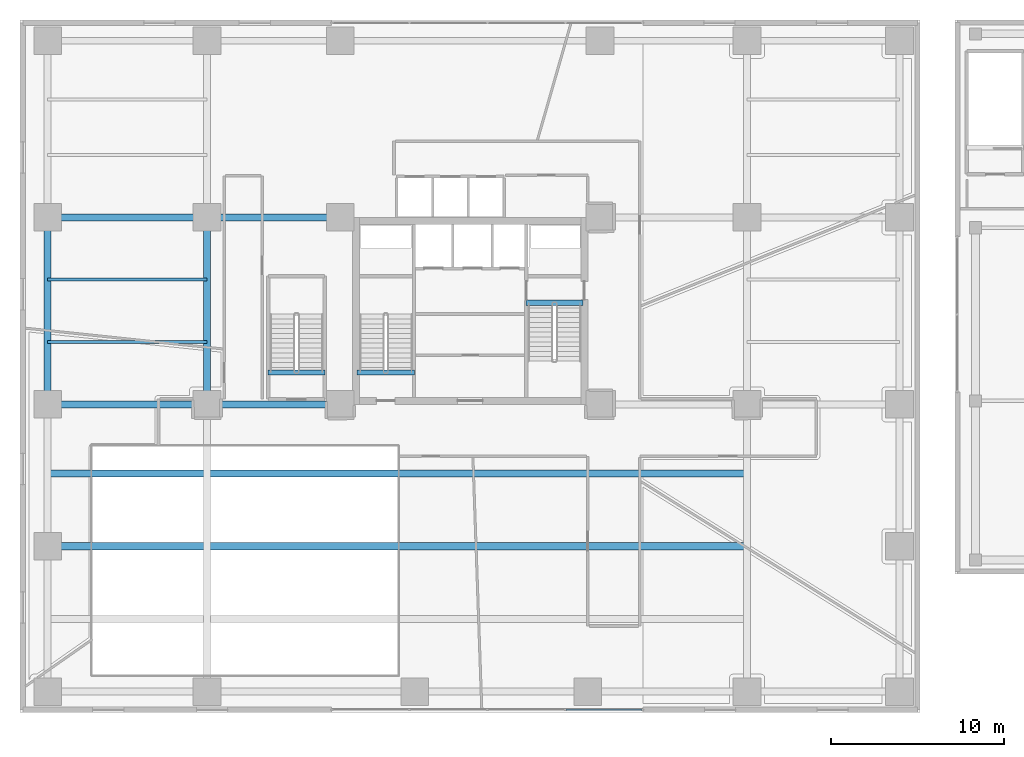
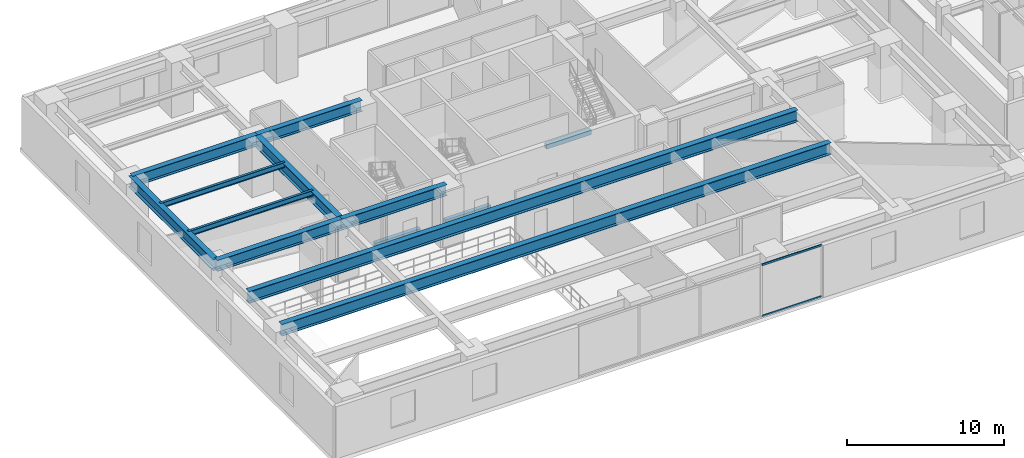
# One storey, part 5 of 25: 13 beams, 2 members, 1 element without a shape of its own.
"""IFC4 building model written with IfcOpenShell, lengths in metres."""

from ifc_helpers import new_model, si_unit, direction, frame, origin, origin_2d, place, context, subcontext, project, spatial, rectangle, hollow_rectangle, i_section, extrude, source, transform, mapped, material, layer, layer_set, material_profile, profile_set, type_object, type_shapes, element, aggregate, save


model = new_model("IFC4")

# Units and contexts
model_context = context("Model", 3, precision=1e-05, world=origin(), true_north=direction((0.0, 1.0)))
body_context = subcontext(model_context, "Body", "Model", "MODEL_VIEW")
ifc_project = project(units=[si_unit("LENGTHUNIT", "METRE"), si_unit("AREAUNIT", "SQUARE_METRE"), si_unit("VOLUMEUNIT", "CUBIC_METRE"), si_unit("PLANEANGLEUNIT", "RADIAN"), si_unit("MASSUNIT", "GRAM", prefix="KILO")], contexts=[model_context])

# Site, building, storey
site_placement = place(None, origin())
site = spatial("IfcSite", under=ifc_project, at=site_placement, CompositionType="ELEMENT")
building_placement = place(site_placement, origin())
building = spatial("IfcBuilding", under=site, at=building_placement, Name="Talar Marvaseh", CompositionType="ELEMENT")
storey_placement = place(building_placement, frame((0.0, 0.0, 14.39990234375)))
storey = spatial("IfcBuildingStorey", under=building, at=storey_placement, Name="L03", CompositionType="ELEMENT", Elevation=14.39990234375)

# Beams
ifc_material_1 = material(Name="Steel S460", Category="steel")
ifc_material_profile_1 = material_profile(ifc_material_1, i_section(OverallWidth=0.41796875, OverallDepth=0.912109375, WebThickness=0.019287109375, FlangeThickness=0.031982421875, at=origin_2d()), Name="W920x342")
ifc_profile_set_1 = profile_set([ifc_material_profile_1], Name="Steel S460")
beam_type_1 = type_object("IfcBeamType", Name="Auditorium Long-Span Girder W920x342", PredefinedType="BEAM", material=ifc_profile_set_1)
for number, where, z_axis, x_axis, name in (
    (1, (1.60009765625, 17.60009765625, 3.794189453125), (1.0, 0.0, 0.0), (0.0, 1.0, 0.0), "L03 Auditorium Long-Span Girder W920x342"),
    (2, (1.60009765625, 21.800048828125, 3.794189453125), (1.0, 0.0, 0.0), (0.0, 1.0, 0.0), "L03 Auditorium Long-Span Girder W920x342"),
):
    element("IfcBeam", number, at=place(storey_placement, frame(where, z_axis=z_axis, x_axis=x_axis)), inside=storey, type_object=beam_type_1, Name=name, PredefinedType="BEAM", context=body_context, shape_type="SweptSolid", body=[
        extrude(i_section(OverallWidth=0.41796875, OverallDepth=0.912109375, WebThickness=0.019287109375, FlangeThickness=0.031982421875, at=origin_2d()), origin(), (0.0, 0.0, 1.0), 40.39990234375),
    ])
ifc_material_2 = material(Name="Steel S355", Category="steel")
ifc_material_profile_2 = material_profile(ifc_material_2, i_section(OverallWidth=0.39990234375, OverallDepth=0.85498046875, WebThickness=0.018310546875, FlangeThickness=0.029296875, at=origin_2d()), Name="W840x299")
ifc_profile_set_2 = profile_set([ifc_material_profile_2], Name="Steel S355")
beam_type_2 = type_object("IfcBeamType", Name="Concourse Primary Girder W840x299", PredefinedType="BEAM", material=ifc_profile_set_2)
beam_1_placement = place(storey_placement, frame((1.60009765625, 25.800048828125, 3.822509765625), z_axis=(1.0, 0.0, 0.0), x_axis=(0.0, 1.0, 0.0)))
element("IfcBeam", 3, at=beam_1_placement, inside=storey, type_object=beam_type_2, Name="L03 Concourse Primary Girder W840x299", PredefinedType="BEAM", context=body_context, shape_type="SweptSolid", body=[
    extrude(i_section(OverallWidth=0.39990234375, OverallDepth=0.85498046875, WebThickness=0.018310546875, FlangeThickness=0.029296875, at=origin_2d()), origin(), (0.0, 0.0, 1.0), 9.199951171875),
])
beam_2_placement = place(storey_placement, frame((10.800048828125, 25.800048828125, 3.822509765625), z_axis=(1.0, 0.0, 0.0), x_axis=(0.0, 1.0, 0.0)))
element("IfcBeam", 4, at=beam_2_placement, inside=storey, type_object=beam_type_2, Name="L03 Concourse Primary Girder W840x299", PredefinedType="BEAM", context=body_context, shape_type="SweptSolid", body=[
    extrude(i_section(OverallWidth=0.39990234375, OverallDepth=0.85498046875, WebThickness=0.018310546875, FlangeThickness=0.029296875, at=origin_2d()), origin(), (0.0, 0.0, 1.0), 7.699951171875),
])
beam_3_placement = place(storey_placement, frame((1.60009765625, 36.60009765625, 3.822509765625), z_axis=(1.0, 0.0, 0.0), x_axis=(0.0, 1.0, 0.0)))
element("IfcBeam", 5, at=beam_3_placement, inside=storey, type_object=beam_type_2, Name="L03 Concourse Primary Girder W840x299", PredefinedType="BEAM", context=body_context, shape_type="SweptSolid", body=[
    extrude(i_section(OverallWidth=0.39990234375, OverallDepth=0.85498046875, WebThickness=0.018310546875, FlangeThickness=0.029296875, at=origin_2d()), origin(), (0.0, 0.0, 1.0), 9.199951171875),
])
beam_4_placement = place(storey_placement, frame((10.800048828125, 36.60009765625, 3.822509765625), z_axis=(1.0, 0.0, 0.0), x_axis=(0.0, 1.0, 0.0)))
element("IfcBeam", 6, at=beam_4_placement, inside=storey, type_object=beam_type_2, Name="L03 Concourse Primary Girder W840x299", PredefinedType="BEAM", context=body_context, shape_type="SweptSolid", body=[
    extrude(i_section(OverallWidth=0.39990234375, OverallDepth=0.85498046875, WebThickness=0.018310546875, FlangeThickness=0.029296875, at=origin_2d()), origin(), (0.0, 0.0, 1.0), 7.699951171875),
])
for number, where, z_axis, x_axis, name in (
    (7, (1.60009765625, 25.800048828125, 3.822509765625), (0.0, 1.0, 0.0), (-1.0, 0.0, 0.0), "L03 Concourse Primary Girder W840x299"),
    (8, (10.800048828125, 25.800048828125, 3.822509765625), (0.0, 1.0, 0.0), (-1.0, 0.0, 0.0), "L03 Concourse Primary Girder W840x299"),
):
    element("IfcBeam", number, at=place(storey_placement, frame(where, z_axis=z_axis, x_axis=x_axis)), inside=storey, type_object=beam_type_2, Name=name, PredefinedType="BEAM", context=body_context, shape_type="SweptSolid", body=[
        extrude(i_section(OverallWidth=0.39990234375, OverallDepth=0.85498046875, WebThickness=0.018310546875, FlangeThickness=0.029296875, at=origin_2d()), origin(), (0.0, 0.0, 1.0), 10.800048828125),
    ])
ifc_material_3 = material(Name="Concrete C40/50", Category="concrete")
ifc_material_profile_3 = material_profile(ifc_material_3, rectangle(XDim=0.300048828125, YDim=0.360107421875, at=origin_2d()), Name="RC300x360")
ifc_profile_set_3 = profile_set([ifc_material_profile_3], Name="Concrete C40/50")
beam_type_3 = type_object("IfcBeamType", Name="Concrete Stair Landing Trimmer Beam RC300x360", PredefinedType="SPANDREL", material=ifc_profile_set_3)
for number, where, z_axis, x_axis, name in (
    (9, (22.780029296875, 27.6298828125, -0.179931640625), (-1.0, 0.0, 0.0), (0.0, -1.0, 0.0), "L03 ST-1 Stair Nosing Trimmer Beam"),
    (10, (29.219970703125, 31.669921875, -0.179931640625), (1.0, 0.0, 0.0), (0.0, 1.0, 0.0), "L03 ST-2 Stair Nosing Trimmer Beam"),
    (11, (17.6201171875, 27.6298828125, -0.179931640625), (-1.0, 0.0, 0.0), (0.0, -1.0, 0.0), "L03 ST-3 Stair Nosing Trimmer Beam"),
):
    element("IfcBeam", number, at=place(storey_placement, frame(where, z_axis=z_axis, x_axis=x_axis)), inside=storey, type_object=beam_type_3, Name=name, PredefinedType="SPANDREL", context=body_context, shape_type="SweptSolid", body=[
        extrude(rectangle(XDim=0.300048828125, YDim=0.360107421875, at=origin_2d()), origin(), (0.0, 0.0, 1.0), 3.300048828125),
    ])
ifc_material_profile_4 = material_profile(ifc_material_2, i_section(OverallWidth=0.179931640625, OverallDepth=0.4130859375, WebThickness=0.009765625, FlangeThickness=0.01611328125, at=origin_2d()), Name="W410x75")
ifc_profile_set_4 = profile_set([ifc_material_profile_4], Name="Steel S355")
beam_type_4 = type_object("IfcBeamType", Name="Zone 1 Secondary Floor Joist W410x75", PredefinedType="JOIST", material=ifc_profile_set_4)
for number, where, z_axis, x_axis, name in (
    (12, (1.60009765625, 29.39990234375, 4.043701171875), (1.0, 0.0, 0.0), (0.0, 1.0, 0.0), "L03 Zone 1 Secondary Floor Joist W410x75"),
    (13, (1.60009765625, 33.0, 4.043701171875), (1.0, 0.0, 0.0), (0.0, 1.0, 0.0), "L03 Zone 1 Secondary Floor Joist W410x75"),
):
    element("IfcBeam", number, at=place(storey_placement, frame(where, z_axis=z_axis, x_axis=x_axis)), inside=storey, type_object=beam_type_4, Name=name, PredefinedType="JOIST", context=body_context, shape_type="SweptSolid", body=[
        extrude(i_section(OverallWidth=0.179931640625, OverallDepth=0.4130859375, WebThickness=0.009765625, FlangeThickness=0.01611328125, at=origin_2d()), origin(), (0.0, 0.0, 1.0), 9.199951171875),
    ])

# Curtain wall, members
ifc_material_4 = material(Name="Architectural Aluminium", Category="aluminium")
ifc_layer = layer(ifc_material_4, 0.25)
ifc_layer_set = layer_set([ifc_layer], Name="Architectural Aluminium")
curtain_wall_type = type_object("IfcCurtainWallType", Name="Station Podium Monumental Iwan Curtain Wall", PredefinedType="NOTDEFINED", material=ifc_layer_set)
curtain_wall_placement = place(storey_placement, origin())
curtain_wall = element("IfcCurtainWall", 14, at=curtain_wall_placement, inside=storey, type_object=curtain_wall_type, Name="L03 Station Podium Monumental Iwan Curtain Wall", PredefinedType="NOTDEFINED")
ifc_material_profile_5 = material_profile(ifc_material_4, hollow_rectangle(XDim=0.06494140625, YDim=0.14990234375, WallThickness=0.00390625, at=origin_2d()), Name="RHS150x65x4")
ifc_profile_set_5 = profile_set([ifc_material_profile_5], Name="Architectural Aluminium")
member_type = type_object("IfcMemberType", Name="Unitised Curtain Wall Slim Transom RHS150x65x4", PredefinedType="USERDEFINED", material=ifc_profile_set_5)
shared_shape = source(origin(), body_context, "Body", "SweptSolid", [
    extrude(hollow_rectangle(XDim=0.06494140625, YDim=0.14990234375, WallThickness=0.00390625, at=origin_2d()), origin(), (0.0, 0.0, 1.0), 4.402587890625),
])
type_shapes(member_type, [shared_shape])
member_1_placement = place(storey_placement, frame((35.93505859375, 8.159912109375, 0.03271484375), z_axis=(-1.0, 0.0, 0.0), x_axis=(0.0, -1.0, 0.0)))
member_1 = element("IfcMember", 15, at=member_1_placement, type_object=member_type, Name="CW-POD transom 1.1", ObjectType="TRANSOM", PredefinedType="USERDEFINED", context=body_context, shape_type="MappedRepresentation", body=[
    mapped(shared_shape, transform((0.0, 0.0, 0.0), x_axis=(1.0, 0.0, 0.0), y_axis=(0.0, 1.0, 0.0), z_axis=(0.0, 0.0, 1.0), scale=1.0)),
])
member_2_placement = place(storey_placement, frame((35.93505859375, 8.159912109375, 4.017578125), z_axis=(-1.0, 0.0, 0.0), x_axis=(0.0, -1.0, 0.0)))
member_2 = element("IfcMember", 16, at=member_2_placement, type_object=member_type, Name="CW-POD transom 1.2", ObjectType="TRANSOM", PredefinedType="USERDEFINED", context=body_context, shape_type="MappedRepresentation", body=[
    mapped(shared_shape, transform((0.0, 0.0, 0.0), x_axis=(1.0, 0.0, 0.0), y_axis=(0.0, 1.0, 0.0), z_axis=(0.0, 0.0, 1.0), scale=1.0)),
])
aggregate(curtain_wall, [member_1, member_2])

save(model, "model.ifc")
